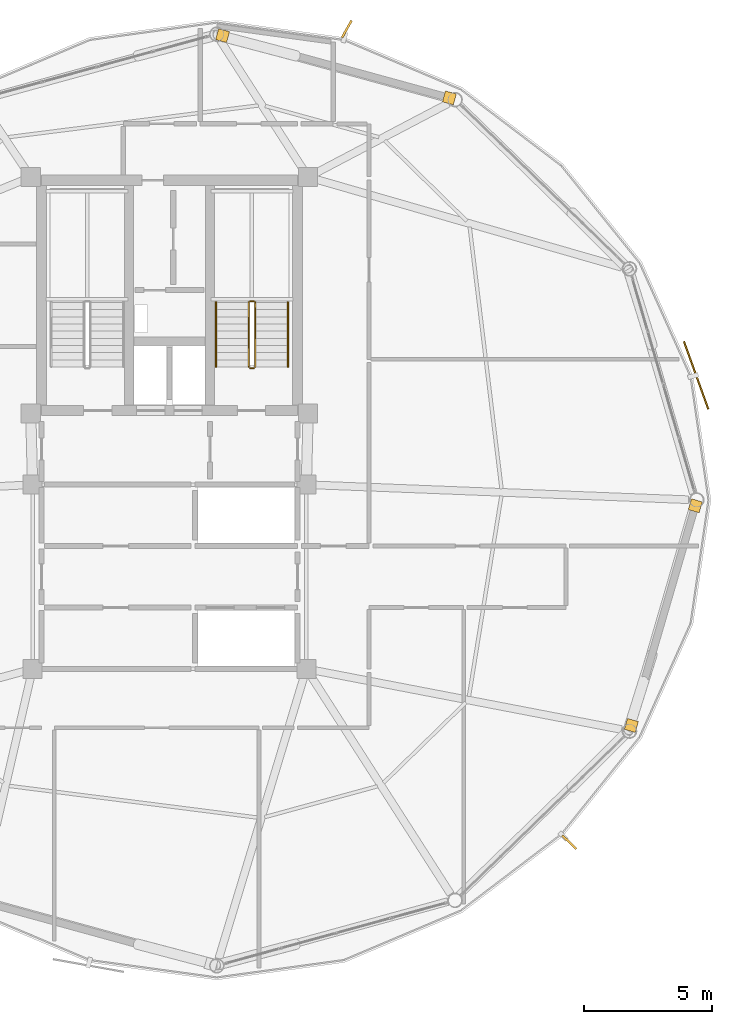
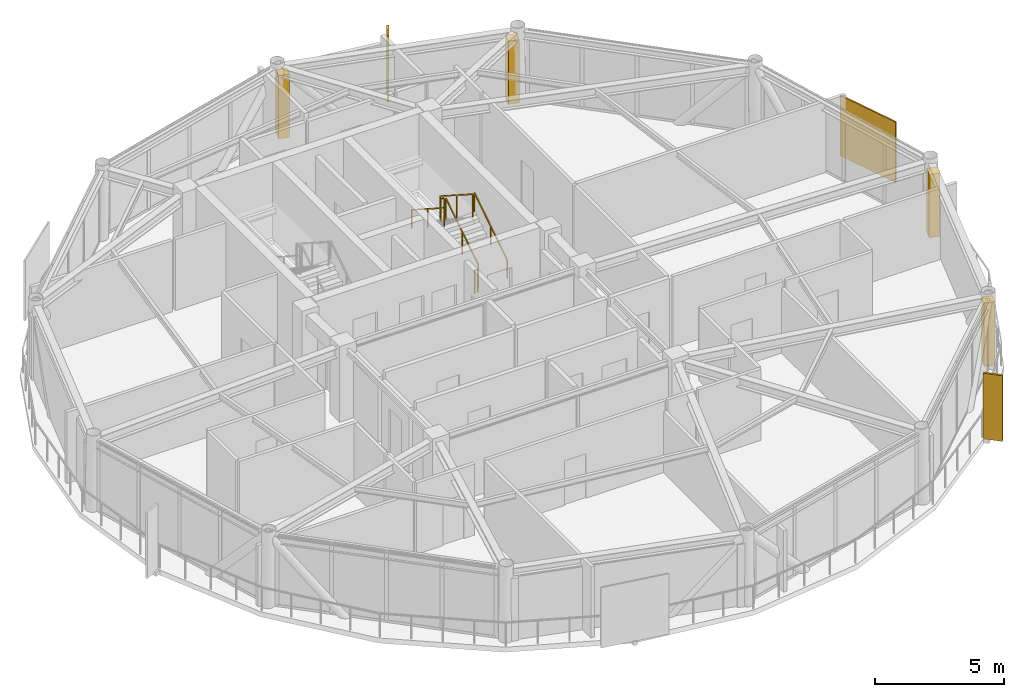
# One storey, part 27 of 27: 6 railings, 4 coverings, 3 shading devices.
"""IFC4 building model written with IfcOpenShell, lengths in metres."""

from ifc_helpers import new_model, si_unit, direction, frame, origin, origin_2d, place, context, subcontext, project, spatial, rectangle, extrude, source, transform, mapped, material, layer, layer_set, type_object, type_shapes, element, save


model = new_model("IFC4")

# Units and contexts
model_context = context("Model", 3, precision=1e-05, world=origin(), true_north=direction((0.0, 1.0)))
body_context = subcontext(model_context, "Body", "Model", "MODEL_VIEW")
ifc_project = project(units=[si_unit("LENGTHUNIT", "METRE"), si_unit("AREAUNIT", "SQUARE_METRE"), si_unit("VOLUMEUNIT", "CUBIC_METRE"), si_unit("PLANEANGLEUNIT", "RADIAN"), si_unit("MASSUNIT", "GRAM", prefix="KILO")], contexts=[model_context])

# Site, building, storey
site_placement = place(None, origin())
site = spatial("IfcSite", under=ifc_project, at=site_placement, CompositionType="ELEMENT")
building_placement = place(site_placement, origin())
building = spatial("IfcBuilding", under=site, at=building_placement, Name="Varnakorn Sky Granary", CompositionType="ELEMENT")
storey_placement = place(building_placement, frame((0.0, 0.0, 232.800048828125)))
storey = spatial("IfcBuildingStorey", under=building, at=storey_placement, Name="L59", CompositionType="ELEMENT", Elevation=232.800048828125)

# Railings
ifc_material_1 = material(Name="Brushed Stainless Steel 316", Category="steel")
railing_type_1 = type_object("IfcRailingType", Name="RL-STAIR-1100", PredefinedType="GUARDRAIL", material=ifc_material_1)
railing_1_placement = place(storey_placement, frame((6.35009765625, 5.199951171875, 0.179931640625)))
element("IfcRailing", 1, at=railing_1_placement, inside=storey, type_object=railing_type_1, Name="L59 ST-2 stair guard 1", PredefinedType="GUARDRAIL", context=body_context, shape_type="SweptSolid", body=[
    extrude(rectangle(XDim=0.048095703125, YDim=0.048095703125, at=origin_2d()), frame((0.0, 0.0, 1.076171875), z_axis=(0.0, 0.841162588446, 0.540782303519), x_axis=(-1.0, 0.0, 0.0)), (0.0, 0.0, 1.0), 2.995849609375),
    extrude(rectangle(XDim=0.0419921875, YDim=0.0419921875, at=origin_2d()), origin(), (0.0, 0.0, 1.0), 1.048095703125),
    extrude(rectangle(XDim=0.0419921875, YDim=0.0419921875, at=origin_2d()), frame((0.0, 1.260009765625, 0.81005859375)), (0.0, 0.0, 1.0), 1.048095703125),
    extrude(rectangle(XDim=0.0419921875, YDim=0.0419921875, at=origin_2d()), frame((0.0, 2.52001953125, 1.6201171875)), (0.0, 0.0, 1.0), 1.048095703125),
])
railing_2_placement = place(storey_placement, frame((6.300048828125, 7.77001953125, 1.800048828125)))
element("IfcRailing", 2, at=railing_2_placement, inside=storey, type_object=railing_type_1, Name="L59 ST-2 stair guard 2", PredefinedType="GUARDRAIL", context=body_context, shape_type="SweptSolid", body=[
    extrude(rectangle(XDim=0.048095703125, YDim=0.048095703125, at=origin_2d()), frame((0.0, 0.0, 1.076171875), z_axis=(-1.0, 0.0, 0.0), x_axis=(0.0, -1.0, 0.0)), (0.0, 0.0, 1.0), 0.150146484375),
    extrude(rectangle(XDim=0.0419921875, YDim=0.0419921875, at=origin_2d()), origin(), (0.0, 0.0, 1.0), 1.048095703125),
    extrude(rectangle(XDim=0.0419921875, YDim=0.0419921875, at=origin_2d()), frame((-0.150146484375, 0.0, 0.0)), (0.0, 0.0, 1.0), 1.048095703125),
])
railing_3_placement = place(storey_placement, frame((6.10009765625, 7.719970703125, 1.97998046875)))
element("IfcRailing", 3, at=railing_3_placement, inside=storey, type_object=railing_type_1, Name="L59 ST-2 stair guard 3", PredefinedType="GUARDRAIL", context=body_context, shape_type="SweptSolid", body=[
    extrude(rectangle(XDim=0.048095703125, YDim=0.048095703125, at=origin_2d()), frame((0.0, 0.0, 1.076171875), z_axis=(0.0, -0.841199657755, 0.540724639528), x_axis=(1.0, 0.0, 0.0)), (0.0, 0.0, 1.0), 2.995849609375),
    extrude(rectangle(XDim=0.0419921875, YDim=0.0419921875, at=origin_2d()), origin(), (0.0, 0.0, 1.0), 1.048095703125),
    extrude(rectangle(XDim=0.0419921875, YDim=0.0419921875, at=origin_2d()), frame((0.0, -1.260009765625, 0.81005859375)), (0.0, 0.0, 1.0), 1.048095703125),
    extrude(rectangle(XDim=0.0419921875, YDim=0.0419921875, at=origin_2d()), frame((0.0, -2.52001953125, 1.619873046875)), (0.0, 0.0, 1.0), 1.048095703125),
])
railing_4_placement = place(storey_placement, frame((6.300048828125, 5.14990234375, 0.0)))
element("IfcRailing", 4, at=railing_4_placement, inside=storey, type_object=railing_type_1, Name="L59 ST-2 stair guard 4", PredefinedType="GUARDRAIL", context=body_context, shape_type="SweptSolid", body=[
    extrude(rectangle(XDim=0.048095703125, YDim=0.048095703125, at=origin_2d()), frame((0.0, 0.0, 1.076171875), z_axis=(-1.0, 0.0, 0.0), x_axis=(0.0, -1.0, 0.0)), (0.0, 0.0, 1.0), 0.150146484375),
    extrude(rectangle(XDim=0.0419921875, YDim=0.0419921875, at=origin_2d()), origin(), (0.0, 0.0, 1.0), 1.048095703125),
    extrude(rectangle(XDim=0.0419921875, YDim=0.0419921875, at=origin_2d()), frame((-0.150146484375, 0.0, 0.0)), (0.0, 0.0, 1.0), 1.048095703125),
])
railing_type_2 = type_object("IfcRailingType", Name="RL-STAIR-920", PredefinedType="HANDRAIL", material=ifc_material_1)
railing_5_placement = place(storey_placement, frame((7.6298828125, 5.199951171875, 0.179931640625)))
element("IfcRailing", 5, at=railing_5_placement, inside=storey, type_object=railing_type_2, Name="L59 ST-2 stair handrail 1", PredefinedType="HANDRAIL", context=body_context, shape_type="SweptSolid", body=[
    extrude(rectangle(XDim=0.048095703125, YDim=0.048095703125, at=origin_2d()), frame((0.0, 0.0, 0.8759765625), z_axis=(0.0, 0.841162588446, 0.540782303519), x_axis=(-1.0, 0.0, 0.0)), (0.0, 0.0, 1.0), 2.995849609375),
    extrude(rectangle(XDim=0.0419921875, YDim=0.0419921875, at=origin_2d()), origin(), (0.0, 0.0, 1.0), 0.847900390625),
    extrude(rectangle(XDim=0.0419921875, YDim=0.0419921875, at=origin_2d()), frame((0.0, 1.260009765625, 0.81005859375)), (0.0, 0.0, 1.0), 0.847900390625),
    extrude(rectangle(XDim=0.0419921875, YDim=0.0419921875, at=origin_2d()), frame((0.0, 2.52001953125, 1.6201171875)), (0.0, 0.0, 1.0), 0.847900390625),
])
railing_6_placement = place(storey_placement, frame((4.820068359375, 7.719970703125, 1.97998046875)))
element("IfcRailing", 6, at=railing_6_placement, inside=storey, type_object=railing_type_2, Name="L59 ST-2 stair handrail 2", PredefinedType="HANDRAIL", context=body_context, shape_type="SweptSolid", body=[
    extrude(rectangle(XDim=0.048095703125, YDim=0.048095703125, at=origin_2d()), frame((0.0, 0.0, 0.8759765625), z_axis=(0.0, -0.841199657755, 0.540724639528), x_axis=(1.0, 0.0, 0.0)), (0.0, 0.0, 1.0), 2.995849609375),
    extrude(rectangle(XDim=0.0419921875, YDim=0.0419921875, at=origin_2d()), origin(), (0.0, 0.0, 1.0), 0.847900390625),
    extrude(rectangle(XDim=0.0419921875, YDim=0.0419921875, at=origin_2d()), frame((0.0, -1.260009765625, 0.81005859375)), (0.0, 0.0, 1.0), 0.847900390625),
    extrude(rectangle(XDim=0.0419921875, YDim=0.0419921875, at=origin_2d()), frame((0.0, -2.52001953125, 1.619873046875)), (0.0, 0.0, 1.0), 0.847900390625),
])

# Coverings
ifc_material_2 = material(Name="Anodised Bronze Aluminium Alloy 6063-T6", Category="aluminium")
ifc_layer = layer(ifc_material_2, 0.050048828125, Name="Anodised Bronze Aluminium Alloy 6063-T6")
ifc_layer_set = layer_set([ifc_layer], Name="Anodised Bronze Aluminium Alloy 6063-T6")
covering_type = type_object("IfcCoveringType", Name="CV-CLAD-50", PredefinedType="CLADDING", material=ifc_layer_set)
shared_shape_1 = source(origin(), body_context, "Body", "SweptSolid", [
    extrude(rectangle(XDim=0.43994140625, YDim=0.43994140625, at=origin_2d()), origin(), (0.0, 0.0, 1.0), 2.989990234375),
])
type_shapes(covering_type, [shared_shape_1])
for number, where, z_axis, x_axis, name in (
    (7, (5.076171875, 18.14599609375, -0.02001953125), (0.0, 0.0, 1.0), (0.964326778534, -0.264714684522, 0.0), "Bronze Corner Pilaster Closure L59-P03-A"),
    (8, (13.939453125, 15.7138671875, -0.02001953125), (0.0, 0.0, 1.0), (0.964326778534, -0.264714684522, 0.0), "Bronze Corner Pilaster Closure L59-P03-B"),
    (9, (23.55029296875, -0.22509765625, -0.02001953125), (0.0, 0.0, 1.0), (-0.279493876371, -0.960147474647, 0.0), "Bronze Corner Pilaster Closure L59-P12-A"),
    (10, (21.050537109375, -8.811279296875, -0.02001953125), (0.0, 0.0, 1.0), (-0.279493876371, -0.960147474647, 0.0), "Bronze Corner Pilaster Closure L59-P12-B"),
):
    element("IfcCovering", number, at=place(storey_placement, frame(where, z_axis=z_axis, x_axis=x_axis)), inside=storey, type_object=covering_type, Name=name, PredefinedType="CLADDING", context=body_context, shape_type="MappedRepresentation", body=[
        mapped(shared_shape_1, transform((0.0, 0.0, 0.0), x_axis=(1.0, 0.0, 0.0), y_axis=(0.0, 1.0, 0.0), z_axis=(0.0, 0.0, 1.0), scale=1.0)),
    ])

# Shading devices
shading_device_type_1 = type_object("IfcShadingDeviceType", Name="SH-FIN-03", PredefinedType="USERDEFINED", material=ifc_material_2)
shared_shape_2 = source(origin(), body_context, "Body", "SweptSolid", [
    extrude(rectangle(XDim=0.0849609375, YDim=0.760009765625, at=origin_2d()), origin(), (0.0, 0.0, 1.0), 3.10009765625),
])
type_shapes(shading_device_type_1, [shared_shape_2])
for number, where, z_axis, x_axis, name in (
    (11, (9.928955078125, 18.40283203125, -0.0400390625), (0.0, 0.0, 1.0), (-0.873228872411, 0.487310308108, 0.0), "Bronze Solar-Tracking Vertical Blade FIN L59-03"),
    (12, (18.62646484375, -13.372314453125, -0.0400390625), (0.0, 0.0, 1.0), (0.690513183577, 0.723319807075, 0.0), "Bronze Solar-Tracking Vertical Blade FIN L59-11"),
):
    element("IfcShadingDevice", number, at=place(storey_placement, frame(where, z_axis=z_axis, x_axis=x_axis)), inside=storey, type_object=shading_device_type_1, Name=name, ObjectType="FIN", PredefinedType="USERDEFINED", context=body_context, shape_type="MappedRepresentation", body=[
        mapped(shared_shape_2, transform((0.0, 0.0, 0.0), x_axis=(1.0, 0.0, 0.0), y_axis=(0.0, 1.0, 0.0), z_axis=(0.0, 0.0, 1.0), scale=1.0)),
    ])
shading_device_type_2 = type_object("IfcShadingDeviceType", Name="SH-SCR-03", PredefinedType="USERDEFINED", material=ifc_material_2)
shared_shape_3 = source(origin(), body_context, "Body", "SweptSolid", [
    extrude(rectangle(XDim=2.800048828125, YDim=0.06494140625, at=origin_2d()), origin(), (0.0, 0.0, 1.0), 2.85009765625),
])
type_shapes(shading_device_type_2, [shared_shape_3])
shading_device_placement = place(storey_placement, frame((23.580810546875, 4.87255859375, -0.0400390625), z_axis=(0.0, 0.0, 1.0), x_axis=(-0.339260161252, 0.940692586867, 0.0)))
element("IfcShadingDevice", 13, at=shading_device_placement, inside=storey, type_object=shading_device_type_2, Name="Perforated Bronze Solar Screen Panel SCREEN L59-01", ObjectType="SCREEN", PredefinedType="USERDEFINED", context=body_context, shape_type="MappedRepresentation", body=[
    mapped(shared_shape_3, transform((0.0, 0.0, 0.0), x_axis=(1.0, 0.0, 0.0), y_axis=(0.0, 1.0, 0.0), z_axis=(0.0, 0.0, 1.0), scale=1.0)),
])

save(model, "model.ifc")
